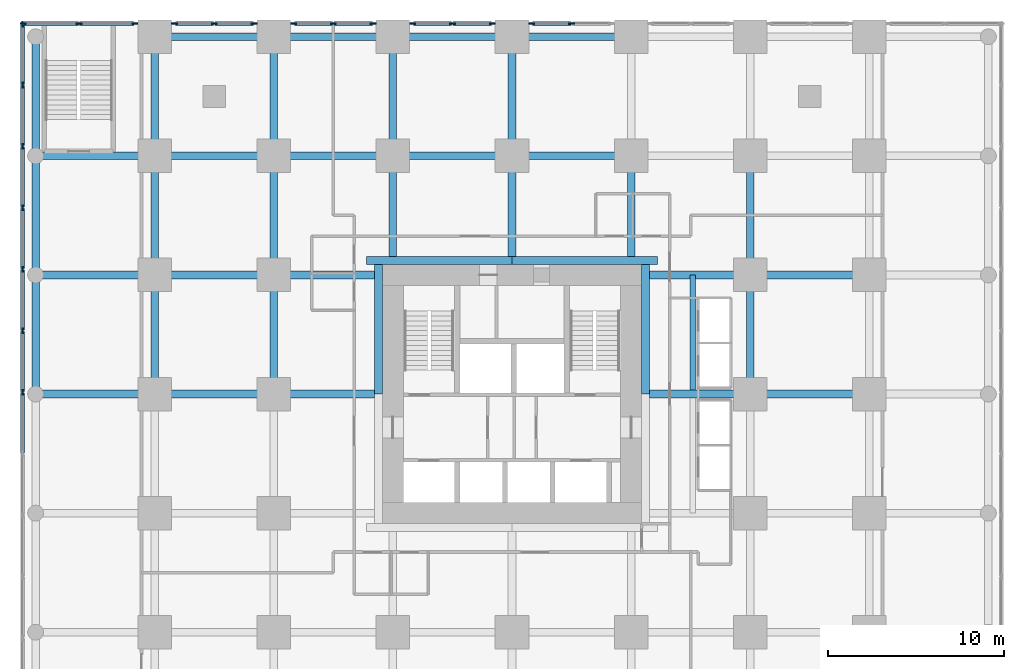
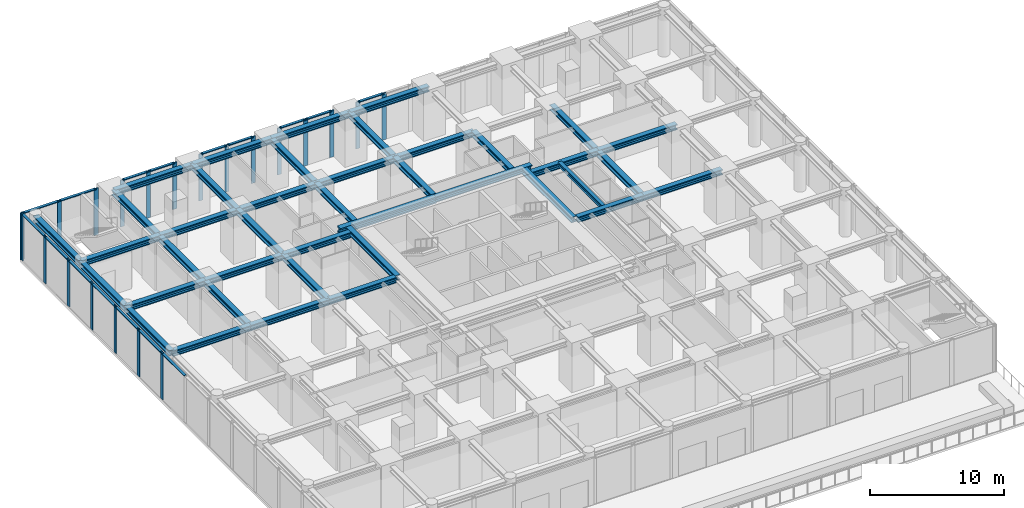
# One storey, part 4 of 10: 40 beams, 37 members, 6 elements without a shape of their own.
"""IFC4 building model written with IfcOpenShell, lengths in metres."""

from ifc_helpers import new_model, si_unit, direction, frame, origin, origin_2d, place, context, subcontext, project, spatial, rectangle, i_section, extrude, material, material_profile, profile_set, type_object, element, aggregate, save


model = new_model("IFC4")

# Units and contexts
model_context = context("Model", 3, precision=1e-05, world=origin(), true_north=direction((0.0, 1.0)))
body_context = subcontext(model_context, "Body", "Model", "MODEL_VIEW")
ifc_project = project(units=[si_unit("LENGTHUNIT", "METRE"), si_unit("AREAUNIT", "SQUARE_METRE"), si_unit("VOLUMEUNIT", "CUBIC_METRE"), si_unit("PLANEANGLEUNIT", "RADIAN"), si_unit("MASSUNIT", "GRAM", prefix="KILO")], contexts=[model_context])

# Site, building, storey
site_placement = place(None, origin())
site = spatial("IfcSite", under=ifc_project, at=site_placement, CompositionType="ELEMENT")
building_placement = place(site_placement, origin())
building = spatial("IfcBuilding", under=site, at=building_placement, Name="Nyansa Garden Tower", CompositionType="ELEMENT")
storey_placement = place(building_placement, frame((0.0, 0.0, 9.0)))
storey = spatial("IfcBuildingStorey", under=building, at=storey_placement, Name="L02", CompositionType="ELEMENT", Elevation=9.0)

# Curtain wall, members
ifc_material_1 = material(Name="Black anodised aluminium, clear double glazing", Category="aluminium")
curtain_wall_type = type_object("IfcCurtainWallType", Name="Podium curtain wall PCW", PredefinedType="USERDEFINED", material=ifc_material_1)
curtain_wall_1_placement = place(storey_placement, origin())
curtain_wall_1 = element("IfcCurtainWall", 1, at=curtain_wall_1_placement, inside=storey, type_object=curtain_wall_type, Name="Podium curtain wall L02 N", ObjectType="STICK CURTAIN WALL", PredefinedType="USERDEFINED")
ifc_material_2 = material(Name="Black anodised aluminium", Category="aluminium")
ifc_material_profile_1 = material_profile(ifc_material_2, rectangle(XDim=0.080078125, YDim=0.35009765625, at=origin_2d()), Name="Mullion 350x80")
ifc_profile_set_1 = profile_set([ifc_material_profile_1], Name="Black anodised aluminium")
member_type_1 = type_object("IfcMemberType", Name="Mullion PCW 350x80", PredefinedType="MULLION", material=ifc_profile_set_1)
member_1_placement = place(storey_placement, frame((23.625, 41.25, 0.0), z_axis=(0.0, 0.0, 1.0), x_axis=(0.0, -1.0, 0.0)))
member_1 = element("IfcMember", 2, at=member_1_placement, type_object=member_type_1, Name="PCW mullion 2", PredefinedType="MULLION", context=body_context, shape_type="SweptSolid", body=[
    extrude(rectangle(XDim=0.080078125, YDim=0.35009765625, at=origin_2d()), origin(), (0.0, 0.0, 1.0), 4.25),
])
member_2_placement = place(storey_placement, frame((21.375, 41.25, 0.0), z_axis=(0.0, 0.0, 1.0), x_axis=(0.0, -1.0, 0.0)))
member_2 = element("IfcMember", 3, at=member_2_placement, type_object=member_type_1, Name="PCW mullion 3", PredefinedType="MULLION", context=body_context, shape_type="SweptSolid", body=[
    extrude(rectangle(XDim=0.080078125, YDim=0.35009765625, at=origin_2d()), origin(), (0.0, 0.0, 1.0), 4.25),
])

curtain_wall_2_placement = place(storey_placement, origin())
curtain_wall_2 = element("IfcCurtainWall", 4, at=curtain_wall_2_placement, inside=storey, type_object=curtain_wall_type, Name="Podium curtain wall L02 N", ObjectType="STICK CURTAIN WALL", PredefinedType="USERDEFINED")
member_3_placement = place(storey_placement, frame((19.125, 41.25, 0.0), z_axis=(0.0, 0.0, 1.0), x_axis=(0.0, -1.0, 0.0)))
member_3 = element("IfcMember", 5, at=member_3_placement, type_object=member_type_1, Name="PCW mullion 1", PredefinedType="MULLION", context=body_context, shape_type="SweptSolid", body=[
    extrude(rectangle(XDim=0.080078125, YDim=0.35009765625, at=origin_2d()), origin(), (0.0, 0.0, 1.0), 4.25),
])
member_4_placement = place(storey_placement, frame((16.875, 41.25, 0.0), z_axis=(0.0, 0.0, 1.0), x_axis=(0.0, -1.0, 0.0)))
member_4 = element("IfcMember", 6, at=member_4_placement, type_object=member_type_1, Name="PCW mullion 2", PredefinedType="MULLION", context=body_context, shape_type="SweptSolid", body=[
    extrude(rectangle(XDim=0.080078125, YDim=0.35009765625, at=origin_2d()), origin(), (0.0, 0.0, 1.0), 4.25),
])
member_5_placement = place(storey_placement, frame((14.625, 41.25, 0.0), z_axis=(0.0, 0.0, 1.0), x_axis=(0.0, -1.0, 0.0)))
member_5 = element("IfcMember", 7, at=member_5_placement, type_object=member_type_1, Name="PCW mullion 3", PredefinedType="MULLION", context=body_context, shape_type="SweptSolid", body=[
    extrude(rectangle(XDim=0.080078125, YDim=0.35009765625, at=origin_2d()), origin(), (0.0, 0.0, 1.0), 4.25),
])

curtain_wall_3_placement = place(storey_placement, origin())
curtain_wall_3 = element("IfcCurtainWall", 8, at=curtain_wall_3_placement, inside=storey, type_object=curtain_wall_type, Name="Podium curtain wall L02 N", ObjectType="STICK CURTAIN WALL", PredefinedType="USERDEFINED")
member_6_placement = place(storey_placement, frame((12.375, 41.25, 0.0), z_axis=(0.0, 0.0, 1.0), x_axis=(0.0, -1.0, 0.0)))
member_6 = element("IfcMember", 9, at=member_6_placement, type_object=member_type_1, Name="PCW mullion 1", PredefinedType="MULLION", context=body_context, shape_type="SweptSolid", body=[
    extrude(rectangle(XDim=0.080078125, YDim=0.35009765625, at=origin_2d()), origin(), (0.0, 0.0, 1.0), 4.25),
])
member_7_placement = place(storey_placement, frame((10.125, 41.25, 0.0), z_axis=(0.0, 0.0, 1.0), x_axis=(0.0, -1.0, 0.0)))
member_7 = element("IfcMember", 10, at=member_7_placement, type_object=member_type_1, Name="PCW mullion 2", PredefinedType="MULLION", context=body_context, shape_type="SweptSolid", body=[
    extrude(rectangle(XDim=0.080078125, YDim=0.35009765625, at=origin_2d()), origin(), (0.0, 0.0, 1.0), 4.25),
])
member_8_placement = place(storey_placement, frame((7.875, 41.25, 0.0), z_axis=(0.0, 0.0, 1.0), x_axis=(0.0, -1.0, 0.0)))
member_8 = element("IfcMember", 11, at=member_8_placement, type_object=member_type_1, Name="PCW mullion 3", PredefinedType="MULLION", context=body_context, shape_type="SweptSolid", body=[
    extrude(rectangle(XDim=0.080078125, YDim=0.35009765625, at=origin_2d()), origin(), (0.0, 0.0, 1.0), 4.25),
])

curtain_wall_4_placement = place(storey_placement, origin())
curtain_wall_4 = element("IfcCurtainWall", 12, at=curtain_wall_4_placement, inside=storey, type_object=curtain_wall_type, Name="Podium curtain wall L02 N", ObjectType="STICK CURTAIN WALL", PredefinedType="USERDEFINED")
member_9_placement = place(storey_placement, frame((5.625, 41.25, 0.0), z_axis=(0.0, 0.0, 1.0), x_axis=(0.0, -1.0, 0.0)))
member_9 = element("IfcMember", 13, at=member_9_placement, type_object=member_type_1, Name="PCW mullion 1", PredefinedType="MULLION", context=body_context, shape_type="SweptSolid", body=[
    extrude(rectangle(XDim=0.080078125, YDim=0.35009765625, at=origin_2d()), origin(), (0.0, 0.0, 1.0), 4.25),
])
member_10_placement = place(storey_placement, frame((3.375, 41.25, 0.0), z_axis=(0.0, 0.0, 1.0), x_axis=(0.0, -1.0, 0.0)))
member_10 = element("IfcMember", 14, at=member_10_placement, type_object=member_type_1, Name="PCW mullion 2", PredefinedType="MULLION", context=body_context, shape_type="SweptSolid", body=[
    extrude(rectangle(XDim=0.080078125, YDim=0.35009765625, at=origin_2d()), origin(), (0.0, 0.0, 1.0), 4.25),
])
member_11_placement = place(storey_placement, frame((1.125, 41.25, 0.0), z_axis=(0.0, 0.0, 1.0), x_axis=(0.0, -1.0, 0.0)))
member_11 = element("IfcMember", 15, at=member_11_placement, type_object=member_type_1, Name="PCW mullion 3", PredefinedType="MULLION", context=body_context, shape_type="SweptSolid", body=[
    extrude(rectangle(XDim=0.080078125, YDim=0.35009765625, at=origin_2d()), origin(), (0.0, 0.0, 1.0), 4.25),
])

curtain_wall_5_placement = place(storey_placement, origin())
curtain_wall_5 = element("IfcCurtainWall", 16, at=curtain_wall_5_placement, inside=storey, type_object=curtain_wall_type, Name="Podium curtain wall L02 N", ObjectType="STICK CURTAIN WALL", PredefinedType="USERDEFINED")
member_12_placement = place(storey_placement, frame((-1.125, 41.25, 0.0), z_axis=(0.0, 0.0, 1.0), x_axis=(0.0, -1.0, 0.0)))
member_12 = element("IfcMember", 17, at=member_12_placement, type_object=member_type_1, Name="PCW mullion 1", PredefinedType="MULLION", context=body_context, shape_type="SweptSolid", body=[
    extrude(rectangle(XDim=0.080078125, YDim=0.35009765625, at=origin_2d()), origin(), (0.0, 0.0, 1.0), 4.25),
])
member_13_placement = place(storey_placement, frame((-4.29248046875, 41.25, 0.0), z_axis=(0.0, 0.0, 1.0), x_axis=(0.0, -1.0, 0.0)))
member_13 = element("IfcMember", 18, at=member_13_placement, type_object=member_type_1, Name="PCW mullion 2", PredefinedType="MULLION", context=body_context, shape_type="SweptSolid", body=[
    extrude(rectangle(XDim=0.080078125, YDim=0.35009765625, at=origin_2d()), origin(), (0.0, 0.0, 1.0), 4.25),
])
member_14_placement = place(storey_placement, frame((-7.4599609375, 41.25, 0.0), z_axis=(0.0, 0.0, 1.0), x_axis=(0.0, -1.0, 0.0)))
member_14 = element("IfcMember", 19, at=member_14_placement, type_object=member_type_1, Name="PCW mullion 3", PredefinedType="MULLION", context=body_context, shape_type="SweptSolid", body=[
    extrude(rectangle(XDim=0.080078125, YDim=0.35009765625, at=origin_2d()), origin(), (0.0, 0.0, 1.0), 4.25),
])

curtain_wall_6_placement = place(storey_placement, origin())
curtain_wall_6 = element("IfcCurtainWall", 20, at=curtain_wall_6_placement, inside=storey, type_object=curtain_wall_type, Name="Podium curtain wall L02 W", ObjectType="STICK CURTAIN WALL", PredefinedType="USERDEFINED")
member_15_placement = place(storey_placement, frame((-7.5, 41.2099609375, 0.0), z_axis=(0.0, 0.0, 1.0), x_axis=(1.0, 0.0, 0.0)))
member_15 = element("IfcMember", 21, at=member_15_placement, type_object=member_type_1, Name="PCW mullion 1", PredefinedType="MULLION", context=body_context, shape_type="SweptSolid", body=[
    extrude(rectangle(XDim=0.080078125, YDim=0.35009765625, at=origin_2d()), origin(), (0.0, 0.0, 1.0), 4.25),
])
member_16_placement = place(storey_placement, frame((-7.5, 37.767822265625, 0.0), z_axis=(0.0, 0.0, 1.0), x_axis=(1.0, 0.0, 0.0)))
member_16 = element("IfcMember", 22, at=member_16_placement, type_object=member_type_1, Name="PCW mullion 2", PredefinedType="MULLION", context=body_context, shape_type="SweptSolid", body=[
    extrude(rectangle(XDim=0.080078125, YDim=0.35009765625, at=origin_2d()), origin(), (0.0, 0.0, 1.0), 4.25),
])
member_17_placement = place(storey_placement, frame((-7.5, 34.28564453125, 0.0), z_axis=(0.0, 0.0, 1.0), x_axis=(1.0, 0.0, 0.0)))
member_17 = element("IfcMember", 23, at=member_17_placement, type_object=member_type_1, Name="PCW mullion 3", PredefinedType="MULLION", context=body_context, shape_type="SweptSolid", body=[
    extrude(rectangle(XDim=0.080078125, YDim=0.35009765625, at=origin_2d()), origin(), (0.0, 0.0, 1.0), 4.25),
])
member_18_placement = place(storey_placement, frame((-7.5, 30.803466796875, 0.0), z_axis=(0.0, 0.0, 1.0), x_axis=(1.0, 0.0, 0.0)))
member_18 = element("IfcMember", 24, at=member_18_placement, type_object=member_type_1, Name="PCW mullion 4", PredefinedType="MULLION", context=body_context, shape_type="SweptSolid", body=[
    extrude(rectangle(XDim=0.080078125, YDim=0.35009765625, at=origin_2d()), origin(), (0.0, 0.0, 1.0), 4.25),
])
member_19_placement = place(storey_placement, frame((-7.5, 27.321533203125, 0.0), z_axis=(0.0, 0.0, 1.0), x_axis=(1.0, 0.0, 0.0)))
member_19 = element("IfcMember", 25, at=member_19_placement, type_object=member_type_1, Name="PCW mullion 5", PredefinedType="MULLION", context=body_context, shape_type="SweptSolid", body=[
    extrude(rectangle(XDim=0.080078125, YDim=0.35009765625, at=origin_2d()), origin(), (0.0, 0.0, 1.0), 4.25),
])
member_20_placement = place(storey_placement, frame((-7.5, 23.83935546875, 0.0), z_axis=(0.0, 0.0, 1.0), x_axis=(1.0, 0.0, 0.0)))
member_20 = element("IfcMember", 26, at=member_20_placement, type_object=member_type_1, Name="PCW mullion 6", PredefinedType="MULLION", context=body_context, shape_type="SweptSolid", body=[
    extrude(rectangle(XDim=0.080078125, YDim=0.35009765625, at=origin_2d()), origin(), (0.0, 0.0, 1.0), 4.25),
])
member_21_placement = place(storey_placement, frame((-7.5, 20.357177734375, 0.0), z_axis=(0.0, 0.0, 1.0), x_axis=(1.0, 0.0, 0.0)))
member_21 = element("IfcMember", 27, at=member_21_placement, type_object=member_type_1, Name="PCW mullion 7", PredefinedType="MULLION", context=body_context, shape_type="SweptSolid", body=[
    extrude(rectangle(XDim=0.080078125, YDim=0.35009765625, at=origin_2d()), origin(), (0.0, 0.0, 1.0), 4.25),
])

# Beams
ifc_material_3 = material(Name="Steel S355", Category="steel")
ifc_material_profile_2 = material_profile(ifc_material_3, i_section(OverallWidth=0.431884765625, OverallDepth=0.498046875, WebThickness=0.0556640625, FlangeThickness=0.0888671875, FilletRadius=0.014892578125, at=origin_2d()), Name="HD 400x744")
ifc_profile_set_2 = profile_set([ifc_material_profile_2], Name="Steel S355")
beam_type_1 = type_object("IfcBeamType", Name="Steel beam SBP1-744 HD 400x744", PredefinedType="BEAM", material=ifc_profile_set_2)
for number, where, z_axis, x_axis, name in (
    (28, (-6.75, 20.25, 4.0009765625), (1.0, 0.0, 0.0), (0.0, 1.0, 0.0), "Steel beam 1/G-2/G L03"),
    (29, (-6.75, 27.0, 4.0009765625), (1.0, 0.0, 0.0), (0.0, 1.0, 0.0), "Steel beam 1/H-2/H L03"),
    (30, (-6.75, 33.75, 4.0009765625), (1.0, 0.0, 0.0), (0.0, 1.0, 0.0), "Steel beam 1/J-2/J L03"),
    (31, (0.0, 20.25, 4.0009765625), (0.0, 1.0, 0.0), (-1.0, 0.0, 0.0), "Steel beam 2/G-2/H L03"),
    (32, (0.0, 20.25, 4.0009765625), (1.0, 0.0, 0.0), (0.0, 1.0, 0.0), "Steel beam 2/G-3/G L03"),
    (33, (0.0, 27.0, 4.0009765625), (0.0, 1.0, 0.0), (-1.0, 0.0, 0.0), "Steel beam 2/H-2/J L03"),
    (34, (0.0, 27.0, 4.0009765625), (1.0, 0.0, 0.0), (0.0, 1.0, 0.0), "Steel beam 2/H-3/H L03"),
    (35, (0.0, 33.75, 4.0009765625), (0.0, 1.0, 0.0), (-1.0, 0.0, 0.0), "Steel beam 2/J-2/K L03"),
    (36, (0.0, 33.75, 4.0009765625), (1.0, 0.0, 0.0), (0.0, 1.0, 0.0), "Steel beam 2/J-3/J L03"),
    (37, (6.75, 20.25, 4.0009765625), (0.0, 1.0, 0.0), (-1.0, 0.0, 0.0), "Steel beam 3/G-3/H L03"),
):
    element("IfcBeam", number, at=place(storey_placement, frame(where, z_axis=z_axis, x_axis=x_axis)), inside=storey, type_object=beam_type_1, Name=name, PredefinedType="BEAM", context=body_context, shape_type="SweptSolid", body=[
        extrude(i_section(OverallWidth=0.431884765625, OverallDepth=0.498046875, WebThickness=0.0556640625, FlangeThickness=0.0888671875, FilletRadius=0.014892578125, at=origin_2d()), origin(), (0.0, 0.0, 1.0), 6.75),
    ])
beam_1_placement = place(storey_placement, frame((6.75, 20.25, 4.0009765625), z_axis=(1.0, 0.0, 0.0), x_axis=(0.0, 1.0, 0.0)))
element("IfcBeam", 38, at=beam_1_placement, inside=storey, type_object=beam_type_1, Name="Steel beam 3/G-12.450/G L03", PredefinedType="BEAM", context=body_context, shape_type="SweptSolid", body=[
    extrude(i_section(OverallWidth=0.431884765625, OverallDepth=0.498046875, WebThickness=0.0556640625, FlangeThickness=0.0888671875, FilletRadius=0.014892578125, at=origin_2d()), origin(), (0.0, 0.0, 1.0), 5.699951171875),
])
beam_2_placement = place(storey_placement, frame((6.75, 27.0, 4.0009765625), z_axis=(0.0, 1.0, 0.0), x_axis=(-1.0, 0.0, 0.0)))
element("IfcBeam", 39, at=beam_2_placement, inside=storey, type_object=beam_type_1, Name="Steel beam 3/H-3/J L03", PredefinedType="BEAM", context=body_context, shape_type="SweptSolid", body=[
    extrude(i_section(OverallWidth=0.431884765625, OverallDepth=0.498046875, WebThickness=0.0556640625, FlangeThickness=0.0888671875, FilletRadius=0.014892578125, at=origin_2d()), origin(), (0.0, 0.0, 1.0), 6.75),
])
beam_3_placement = place(storey_placement, frame((6.75, 27.0, 4.0009765625), z_axis=(1.0, 0.0, 0.0), x_axis=(0.0, 1.0, 0.0)))
element("IfcBeam", 40, at=beam_3_placement, inside=storey, type_object=beam_type_1, Name="Steel beam 3/H-12.450/H L03", PredefinedType="BEAM", context=body_context, shape_type="SweptSolid", body=[
    extrude(i_section(OverallWidth=0.431884765625, OverallDepth=0.498046875, WebThickness=0.0556640625, FlangeThickness=0.0888671875, FilletRadius=0.014892578125, at=origin_2d()), origin(), (0.0, 0.0, 1.0), 5.699951171875),
])
for number, where, z_axis, x_axis, name in (
    (41, (6.75, 33.75, 4.0009765625), (0.0, 1.0, 0.0), (-1.0, 0.0, 0.0), "Steel beam 3/J-3/K L03"),
    (42, (6.75, 33.75, 4.0009765625), (1.0, 0.0, 0.0), (0.0, 1.0, 0.0), "Steel beam 3/J-4/J L03"),
):
    element("IfcBeam", number, at=place(storey_placement, frame(where, z_axis=z_axis, x_axis=x_axis)), inside=storey, type_object=beam_type_1, Name=name, PredefinedType="BEAM", context=body_context, shape_type="SweptSolid", body=[
        extrude(i_section(OverallWidth=0.431884765625, OverallDepth=0.498046875, WebThickness=0.0556640625, FlangeThickness=0.0888671875, FilletRadius=0.014892578125, at=origin_2d()), origin(), (0.0, 0.0, 1.0), 6.75),
    ])
beam_4_placement = place(storey_placement, frame((13.5, 28.050048828125, 4.0009765625), z_axis=(0.0, 1.0, 0.0), x_axis=(-1.0, 0.0, 0.0)))
element("IfcBeam", 43, at=beam_4_placement, inside=storey, type_object=beam_type_1, Name="Steel beam 4/28.050-4/J L03", PredefinedType="BEAM", context=body_context, shape_type="SweptSolid", body=[
    extrude(i_section(OverallWidth=0.431884765625, OverallDepth=0.498046875, WebThickness=0.0556640625, FlangeThickness=0.0888671875, FilletRadius=0.014892578125, at=origin_2d()), origin(), (0.0, 0.0, 1.0), 5.699951171875),
])
for number, where, z_axis, x_axis, name in (
    (44, (13.5, 33.75, 4.0009765625), (0.0, 1.0, 0.0), (-1.0, 0.0, 0.0), "Steel beam 4/J-4/K L03"),
    (45, (13.5, 33.75, 4.0009765625), (1.0, 0.0, 0.0), (0.0, 1.0, 0.0), "Steel beam 4/J-5/J L03"),
):
    element("IfcBeam", number, at=place(storey_placement, frame(where, z_axis=z_axis, x_axis=x_axis)), inside=storey, type_object=beam_type_1, Name=name, PredefinedType="BEAM", context=body_context, shape_type="SweptSolid", body=[
        extrude(i_section(OverallWidth=0.431884765625, OverallDepth=0.498046875, WebThickness=0.0556640625, FlangeThickness=0.0888671875, FilletRadius=0.014892578125, at=origin_2d()), origin(), (0.0, 0.0, 1.0), 6.75),
    ])
beam_5_placement = place(storey_placement, frame((20.25, 28.050048828125, 4.0009765625), z_axis=(0.0, 1.0, 0.0), x_axis=(-1.0, 0.0, 0.0)))
element("IfcBeam", 46, at=beam_5_placement, inside=storey, type_object=beam_type_1, Name="Steel beam 5/28.050-5/J L03", PredefinedType="BEAM", context=body_context, shape_type="SweptSolid", body=[
    extrude(i_section(OverallWidth=0.431884765625, OverallDepth=0.498046875, WebThickness=0.0556640625, FlangeThickness=0.0888671875, FilletRadius=0.014892578125, at=origin_2d()), origin(), (0.0, 0.0, 1.0), 5.699951171875),
])
for number, where, z_axis, x_axis, name in (
    (47, (20.25, 33.75, 4.0009765625), (0.0, 1.0, 0.0), (-1.0, 0.0, 0.0), "Steel beam 5/J-5/K L03"),
    (48, (20.25, 33.75, 4.0009765625), (1.0, 0.0, 0.0), (0.0, 1.0, 0.0), "Steel beam 5/J-6/J L03"),
):
    element("IfcBeam", number, at=place(storey_placement, frame(where, z_axis=z_axis, x_axis=x_axis)), inside=storey, type_object=beam_type_1, Name=name, PredefinedType="BEAM", context=body_context, shape_type="SweptSolid", body=[
        extrude(i_section(OverallWidth=0.431884765625, OverallDepth=0.498046875, WebThickness=0.0556640625, FlangeThickness=0.0888671875, FilletRadius=0.014892578125, at=origin_2d()), origin(), (0.0, 0.0, 1.0), 6.75),
    ])
for number, where, z_axis, x_axis, name in (
    (49, (28.050048828125, 20.25, 4.0009765625), (1.0, 0.0, 0.0), (0.0, 1.0, 0.0), "Steel beam 28.050/G-7/G L03"),
    (50, (27.0, 28.050048828125, 4.0009765625), (0.0, 1.0, 0.0), (-1.0, 0.0, 0.0), "Steel beam 6/28.050-6/J L03"),
    (51, (28.050048828125, 27.0, 4.0009765625), (1.0, 0.0, 0.0), (0.0, 1.0, 0.0), "Steel beam 28.050/H-7/H L03"),
):
    element("IfcBeam", number, at=place(storey_placement, frame(where, z_axis=z_axis, x_axis=x_axis)), inside=storey, type_object=beam_type_1, Name=name, PredefinedType="BEAM", context=body_context, shape_type="SweptSolid", body=[
        extrude(i_section(OverallWidth=0.431884765625, OverallDepth=0.498046875, WebThickness=0.0556640625, FlangeThickness=0.0888671875, FilletRadius=0.014892578125, at=origin_2d()), origin(), (0.0, 0.0, 1.0), 5.699951171875),
    ])
for number, where, z_axis, x_axis, name in (
    (52, (33.75, 20.25, 4.0009765625), (0.0, 1.0, 0.0), (-1.0, 0.0, 0.0), "Steel beam 7/G-7/H L03"),
    (53, (33.75, 20.25, 4.0009765625), (1.0, 0.0, 0.0), (0.0, 1.0, 0.0), "Steel beam 7/G-8/G L03"),
    (54, (33.75, 27.0, 4.0009765625), (0.0, 1.0, 0.0), (-1.0, 0.0, 0.0), "Steel beam 7/H-7/J L03"),
    (55, (33.75, 27.0, 4.0009765625), (1.0, 0.0, 0.0), (0.0, 1.0, 0.0), "Steel beam 7/H-8/H L03"),
):
    element("IfcBeam", number, at=place(storey_placement, frame(where, z_axis=z_axis, x_axis=x_axis)), inside=storey, type_object=beam_type_1, Name=name, PredefinedType="BEAM", context=body_context, shape_type="SweptSolid", body=[
        extrude(i_section(OverallWidth=0.431884765625, OverallDepth=0.498046875, WebThickness=0.0556640625, FlangeThickness=0.0888671875, FilletRadius=0.014892578125, at=origin_2d()), origin(), (0.0, 0.0, 1.0), 6.75),
    ])
ifc_material_4 = material(Name="Steel S355", Category="steel")
ifc_material_profile_3 = material_profile(ifc_material_4, i_section(OverallWidth=0.431884765625, OverallDepth=0.498046875, WebThickness=0.0556640625, FlangeThickness=0.0888671875, FilletRadius=0.014892578125, at=origin_2d()), Name="HD 400x744")
ifc_profile_set_3 = profile_set([ifc_material_profile_3], Name="Steel S355")
beam_type_2 = type_object("IfcBeamType", Name="Steel beam SEBP-744 HD 400x744", PredefinedType="BEAM", material=ifc_profile_set_3)
for number, where, z_axis, x_axis, name in (
    (56, (-6.75, 20.25, 4.0009765625), (0.0, 1.0, 0.0), (-1.0, 0.0, 0.0), "Steel edge beam 1/G-1/H L03"),
    (57, (-6.75, 27.0, 4.0009765625), (0.0, 1.0, 0.0), (-1.0, 0.0, 0.0), "Steel edge beam 1/H-1/J L03"),
    (58, (-6.75, 33.75, 4.0009765625), (0.0, 1.0, 0.0), (-1.0, 0.0, 0.0), "Steel edge beam 1/J-1/K L03"),
    (59, (0.0, 40.5, 4.0009765625), (1.0, 0.0, 0.0), (0.0, 1.0, 0.0), "Steel edge beam 2/K-3/K L03"),
    (60, (6.75, 40.5, 4.0009765625), (1.0, 0.0, 0.0), (0.0, 1.0, 0.0), "Steel edge beam 3/K-4/K L03"),
    (61, (13.5, 40.5, 4.0009765625), (1.0, 0.0, 0.0), (0.0, 1.0, 0.0), "Steel edge beam 4/K-5/K L03"),
    (62, (20.25, 40.5, 4.0009765625), (1.0, 0.0, 0.0), (0.0, 1.0, 0.0), "Steel edge beam 5/K-6/K L03"),
):
    element("IfcBeam", number, at=place(storey_placement, frame(where, z_axis=z_axis, x_axis=x_axis)), inside=storey, type_object=beam_type_2, Name=name, PredefinedType="BEAM", context=body_context, shape_type="SweptSolid", body=[
        extrude(i_section(OverallWidth=0.431884765625, OverallDepth=0.498046875, WebThickness=0.0556640625, FlangeThickness=0.0888671875, FilletRadius=0.014892578125, at=origin_2d()), origin(), (0.0, 0.0, 1.0), 6.75),
    ])
ifc_material_5 = material(Name="Steel S355", Category="steel")
ifc_material_profile_4 = material_profile(ifc_material_5, i_section(OverallWidth=0.4541015625, OverallDepth=0.569091796875, WebThickness=0.077880859375, FlangeThickness=0.125, FilletRadius=0.014892578125, at=origin_2d()), Name="HD 400x1086")
ifc_profile_set_4 = profile_set([ifc_material_profile_4], Name="Steel S355")
beam_type_3 = type_object("IfcBeamType", Name="Steel beam SLB1-1086 HD 400x1086", PredefinedType="BEAM", material=ifc_profile_set_4)
beam_6_placement = place(storey_placement, frame((20.25, 27.826904296875, 3.965576171875), z_axis=(-1.0, 0.0, 0.0), x_axis=(0.0, -1.0, 0.0)))
element("IfcBeam", 63, at=beam_6_placement, inside=storey, type_object=beam_type_3, Name="Steel core ledger beam N.2 L03", PredefinedType="BEAM", context=body_context, shape_type="SweptSolid", body=[
    extrude(i_section(OverallWidth=0.4541015625, OverallDepth=0.569091796875, WebThickness=0.077880859375, FlangeThickness=0.125, FilletRadius=0.014892578125, at=origin_2d()), origin(), (0.0, 0.0, 1.0), 8.25),
])
ifc_material_6 = material(Name="Steel S355", Category="steel")
ifc_material_profile_5 = material_profile(ifc_material_6, i_section(OverallWidth=0.431884765625, OverallDepth=0.498046875, WebThickness=0.0556640625, FlangeThickness=0.0888671875, FilletRadius=0.014892578125, at=origin_2d()), Name="HD 400x744")
ifc_profile_set_5 = profile_set([ifc_material_profile_5], Name="Steel S355")
beam_type_4 = type_object("IfcBeamType", Name="Steel beam SLB1-744 HD 400x744", PredefinedType="BEAM", material=ifc_profile_set_5)
beam_7_placement = place(storey_placement, frame((27.81591796875, 20.25, 4.0009765625), z_axis=(0.0, 1.0, 0.0), x_axis=(-1.0, 0.0, 0.0)))
element("IfcBeam", 64, at=beam_7_placement, inside=storey, type_object=beam_type_4, Name="Steel core ledger beam E.2 L03", PredefinedType="BEAM", context=body_context, shape_type="SweptSolid", body=[
    extrude(i_section(OverallWidth=0.431884765625, OverallDepth=0.498046875, WebThickness=0.0556640625, FlangeThickness=0.0888671875, FilletRadius=0.014892578125, at=origin_2d()), origin(), (0.0, 0.0, 1.0), 7.35009765625),
])
beam_8_placement = place(storey_placement, frame((28.5, 27.81591796875, 4.0009765625), z_axis=(-1.0, 0.0, 0.0), x_axis=(0.0, -1.0, 0.0)))
element("IfcBeam", 65, at=beam_8_placement, inside=storey, type_object=beam_type_4, Name="Steel core ledger beam N.1 L03", PredefinedType="BEAM", context=body_context, shape_type="SweptSolid", body=[
    extrude(i_section(OverallWidth=0.431884765625, OverallDepth=0.498046875, WebThickness=0.0556640625, FlangeThickness=0.0888671875, FilletRadius=0.014892578125, at=origin_2d()), origin(), (0.0, 0.0, 1.0), 8.25),
])
beam_9_placement = place(storey_placement, frame((12.68408203125, 27.60009765625, 4.0009765625), z_axis=(0.0, -1.0, 0.0), x_axis=(1.0, 0.0, 0.0)))
element("IfcBeam", 66, at=beam_9_placement, inside=storey, type_object=beam_type_4, Name="Steel core ledger beam W.1 L03", PredefinedType="BEAM", context=body_context, shape_type="SweptSolid", body=[
    extrude(i_section(OverallWidth=0.431884765625, OverallDepth=0.498046875, WebThickness=0.0556640625, FlangeThickness=0.0888671875, FilletRadius=0.014892578125, at=origin_2d()), origin(), (0.0, 0.0, 1.0), 7.35009765625),
])

# Member
ifc_material_7 = material(Name="Black anodised aluminium", Category="aluminium")
ifc_material_profile_6 = material_profile(ifc_material_7, rectangle(XDim=0.219970703125, YDim=0.080078125, at=origin_2d()), Name="Transom 220x80")
ifc_profile_set_6 = profile_set([ifc_material_profile_6], Name="Black anodised aluminium")
member_type_2 = type_object("IfcMemberType", Name="Transom PCW 220x80", PredefinedType="USERDEFINED", material=ifc_profile_set_6)
member_22_placement = place(storey_placement, frame((23.5849609375, 41.25, 4.2099609375), z_axis=(-1.0, 0.0, 0.0), x_axis=(0.0, -1.0, 0.0)))
member_22 = element("IfcMember", 67, at=member_22_placement, type_object=member_type_2, Name="PCW transom 2", ObjectType="TRANSOM", PredefinedType="USERDEFINED", context=body_context, shape_type="SweptSolid", body=[
    extrude(rectangle(XDim=0.219970703125, YDim=0.080078125, at=origin_2d()), origin(), (0.0, 0.0, 1.0), 2.169921875),
])

aggregate(curtain_wall_1, [member_1, member_2, member_22])

member_23_placement = place(storey_placement, frame((19.0849609375, 41.25, 4.2099609375), z_axis=(-1.0, 0.0, 0.0), x_axis=(0.0, -1.0, 0.0)))
member_23 = element("IfcMember", 68, at=member_23_placement, type_object=member_type_2, Name="PCW transom 1", ObjectType="TRANSOM", PredefinedType="USERDEFINED", context=body_context, shape_type="SweptSolid", body=[
    extrude(rectangle(XDim=0.219970703125, YDim=0.080078125, at=origin_2d()), origin(), (0.0, 0.0, 1.0), 2.169921875),
])

member_24_placement = place(storey_placement, frame((16.8349609375, 41.25, 4.2099609375), z_axis=(-1.0, 0.0, 0.0), x_axis=(0.0, -1.0, 0.0)))
member_24 = element("IfcMember", 69, at=member_24_placement, type_object=member_type_2, Name="PCW transom 2", ObjectType="TRANSOM", PredefinedType="USERDEFINED", context=body_context, shape_type="SweptSolid", body=[
    extrude(rectangle(XDim=0.219970703125, YDim=0.080078125, at=origin_2d()), origin(), (0.0, 0.0, 1.0), 2.169921875),
])

aggregate(curtain_wall_2, [member_3, member_4, member_5, member_23, member_24])

member_25_placement = place(storey_placement, frame((12.3349609375, 41.25, 4.2099609375), z_axis=(-1.0, 0.0, 0.0), x_axis=(0.0, -1.0, 0.0)))
member_25 = element("IfcMember", 70, at=member_25_placement, type_object=member_type_2, Name="PCW transom 1", ObjectType="TRANSOM", PredefinedType="USERDEFINED", context=body_context, shape_type="SweptSolid", body=[
    extrude(rectangle(XDim=0.219970703125, YDim=0.080078125, at=origin_2d()), origin(), (0.0, 0.0, 1.0), 2.169921875),
])

member_26_placement = place(storey_placement, frame((10.0849609375, 41.25, 4.2099609375), z_axis=(-1.0, 0.0, 0.0), x_axis=(0.0, -1.0, 0.0)))
member_26 = element("IfcMember", 71, at=member_26_placement, type_object=member_type_2, Name="PCW transom 2", ObjectType="TRANSOM", PredefinedType="USERDEFINED", context=body_context, shape_type="SweptSolid", body=[
    extrude(rectangle(XDim=0.219970703125, YDim=0.080078125, at=origin_2d()), origin(), (0.0, 0.0, 1.0), 2.169921875),
])

aggregate(curtain_wall_3, [member_6, member_7, member_8, member_25, member_26])

member_27_placement = place(storey_placement, frame((5.5849609375, 41.25, 4.2099609375), z_axis=(-1.0, 0.0, 0.0), x_axis=(0.0, -1.0, 0.0)))
member_27 = element("IfcMember", 72, at=member_27_placement, type_object=member_type_2, Name="PCW transom 1", ObjectType="TRANSOM", PredefinedType="USERDEFINED", context=body_context, shape_type="SweptSolid", body=[
    extrude(rectangle(XDim=0.219970703125, YDim=0.080078125, at=origin_2d()), origin(), (0.0, 0.0, 1.0), 2.169921875),
])

member_28_placement = place(storey_placement, frame((3.3349609375, 41.25, 4.2099609375), z_axis=(-1.0, 0.0, 0.0), x_axis=(0.0, -1.0, 0.0)))
member_28 = element("IfcMember", 73, at=member_28_placement, type_object=member_type_2, Name="PCW transom 2", ObjectType="TRANSOM", PredefinedType="USERDEFINED", context=body_context, shape_type="SweptSolid", body=[
    extrude(rectangle(XDim=0.219970703125, YDim=0.080078125, at=origin_2d()), origin(), (0.0, 0.0, 1.0), 2.169921875),
])

aggregate(curtain_wall_4, [member_9, member_10, member_11, member_27, member_28])

member_29_placement = place(storey_placement, frame((-1.1650390625, 41.25, 4.2099609375), z_axis=(-1.0, 0.0, 0.0), x_axis=(0.0, -1.0, 0.0)))
member_29 = element("IfcMember", 74, at=member_29_placement, type_object=member_type_2, Name="PCW transom 1", ObjectType="TRANSOM", PredefinedType="USERDEFINED", context=body_context, shape_type="SweptSolid", body=[
    extrude(rectangle(XDim=0.219970703125, YDim=0.080078125, at=origin_2d()), origin(), (0.0, 0.0, 1.0), 3.08740234375),
])

member_30_placement = place(storey_placement, frame((-4.33251953125, 41.25, 4.2099609375), z_axis=(-1.0, 0.0, 0.0), x_axis=(0.0, -1.0, 0.0)))
member_30 = element("IfcMember", 75, at=member_30_placement, type_object=member_type_2, Name="PCW transom 2", ObjectType="TRANSOM", PredefinedType="USERDEFINED", context=body_context, shape_type="SweptSolid", body=[
    extrude(rectangle(XDim=0.219970703125, YDim=0.080078125, at=origin_2d()), origin(), (0.0, 0.0, 1.0), 3.08740234375),
])

aggregate(curtain_wall_5, [member_12, member_13, member_14, member_29, member_30])

member_31_placement = place(storey_placement, frame((-7.5, 41.169921875, 4.2099609375), z_axis=(0.0, -1.0, 0.0), x_axis=(1.0, 0.0, 0.0)))
member_31 = element("IfcMember", 76, at=member_31_placement, type_object=member_type_2, Name="PCW transom 1", ObjectType="TRANSOM", PredefinedType="USERDEFINED", context=body_context, shape_type="SweptSolid", body=[
    extrude(rectangle(XDim=0.219970703125, YDim=0.080078125, at=origin_2d()), origin(), (0.0, 0.0, 1.0), 3.362060546875),
])

member_32_placement = place(storey_placement, frame((-7.5, 37.727783203125, 4.2099609375), z_axis=(0.0, -1.0, 0.0), x_axis=(1.0, 0.0, 0.0)))
member_32 = element("IfcMember", 77, at=member_32_placement, type_object=member_type_2, Name="PCW transom 2", ObjectType="TRANSOM", PredefinedType="USERDEFINED", context=body_context, shape_type="SweptSolid", body=[
    extrude(rectangle(XDim=0.219970703125, YDim=0.080078125, at=origin_2d()), origin(), (0.0, 0.0, 1.0), 3.402099609375),
])

member_33_placement = place(storey_placement, frame((-7.5, 34.24560546875, 4.2099609375), z_axis=(0.0, -1.0, 0.0), x_axis=(1.0, 0.0, 0.0)))
member_33 = element("IfcMember", 78, at=member_33_placement, type_object=member_type_2, Name="PCW transom 3", ObjectType="TRANSOM", PredefinedType="USERDEFINED", context=body_context, shape_type="SweptSolid", body=[
    extrude(rectangle(XDim=0.219970703125, YDim=0.080078125, at=origin_2d()), origin(), (0.0, 0.0, 1.0), 3.402099609375),
])

member_34_placement = place(storey_placement, frame((-7.5, 30.763671875, 4.2099609375), z_axis=(0.0, -1.0, 0.0), x_axis=(1.0, 0.0, 0.0)))
member_34 = element("IfcMember", 79, at=member_34_placement, type_object=member_type_2, Name="PCW transom 4", ObjectType="TRANSOM", PredefinedType="USERDEFINED", context=body_context, shape_type="SweptSolid", body=[
    extrude(rectangle(XDim=0.219970703125, YDim=0.080078125, at=origin_2d()), origin(), (0.0, 0.0, 1.0), 3.40234375),
])

member_35_placement = place(storey_placement, frame((-7.5, 27.281494140625, 4.2099609375), z_axis=(0.0, -1.0, 0.0), x_axis=(1.0, 0.0, 0.0)))
member_35 = element("IfcMember", 80, at=member_35_placement, type_object=member_type_2, Name="PCW transom 5", ObjectType="TRANSOM", PredefinedType="USERDEFINED", context=body_context, shape_type="SweptSolid", body=[
    extrude(rectangle(XDim=0.219970703125, YDim=0.080078125, at=origin_2d()), origin(), (0.0, 0.0, 1.0), 3.402099609375),
])

member_36_placement = place(storey_placement, frame((-7.5, 23.79931640625, 4.2099609375), z_axis=(0.0, -1.0, 0.0), x_axis=(1.0, 0.0, 0.0)))
member_36 = element("IfcMember", 81, at=member_36_placement, type_object=member_type_2, Name="PCW transom 6", ObjectType="TRANSOM", PredefinedType="USERDEFINED", context=body_context, shape_type="SweptSolid", body=[
    extrude(rectangle(XDim=0.219970703125, YDim=0.080078125, at=origin_2d()), origin(), (0.0, 0.0, 1.0), 3.402099609375),
])

member_37_placement = place(storey_placement, frame((-7.5, 20.317138671875, 4.2099609375), z_axis=(0.0, -1.0, 0.0), x_axis=(1.0, 0.0, 0.0)))
member_37 = element("IfcMember", 82, at=member_37_placement, type_object=member_type_2, Name="PCW transom 7", ObjectType="TRANSOM", PredefinedType="USERDEFINED", context=body_context, shape_type="SweptSolid", body=[
    extrude(rectangle(XDim=0.219970703125, YDim=0.080078125, at=origin_2d()), origin(), (0.0, 0.0, 1.0), 3.402099609375),
])

aggregate(curtain_wall_6, [member_15, member_16, member_17, member_18, member_19, member_20, member_21, member_31, member_32, member_33, member_34, member_35, member_36, member_37])

# Beam
ifc_material_8 = material(Name="Steel S355", Category="steel")
ifc_material_profile_7 = material_profile(ifc_material_8, i_section(OverallWidth=0.300048828125, OverallDepth=0.39990234375, WebThickness=0.013427734375, FlangeThickness=0.02392578125, FilletRadius=0.027099609375, at=origin_2d()), Name="HE 400 B")
ifc_profile_set_7 = profile_set([ifc_material_profile_7], Name="Steel S355")
beam_type_5 = type_object("IfcBeamType", Name="Trimmer beam TR1 HE 400 B", PredefinedType="BEAM", material=ifc_profile_set_7)
beam_10_placement = place(storey_placement, frame((30.5, 20.466064453125, 4.050048828125), z_axis=(0.0, 1.0, 0.0), x_axis=(-1.0, 0.0, 0.0)))
element("IfcBeam", 83, at=beam_10_placement, inside=storey, type_object=beam_type_5, Name="Trimmer beam 2 L03", PredefinedType="BEAM", context=body_context, shape_type="SweptSolid", body=[
    extrude(i_section(OverallWidth=0.300048828125, OverallDepth=0.39990234375, WebThickness=0.013427734375, FlangeThickness=0.02392578125, FilletRadius=0.027099609375, at=origin_2d()), origin(), (0.0, 0.0, 1.0), 6.533935546875),
])

save(model, "model.ifc")
